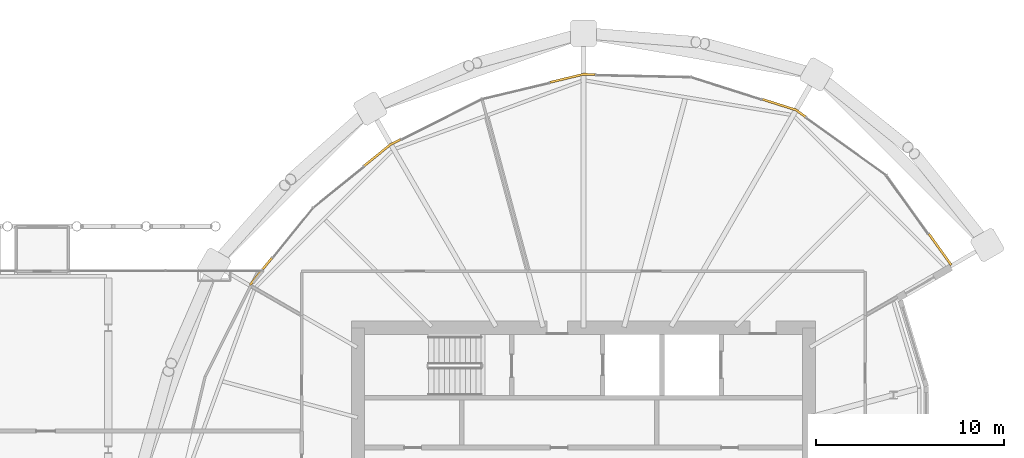
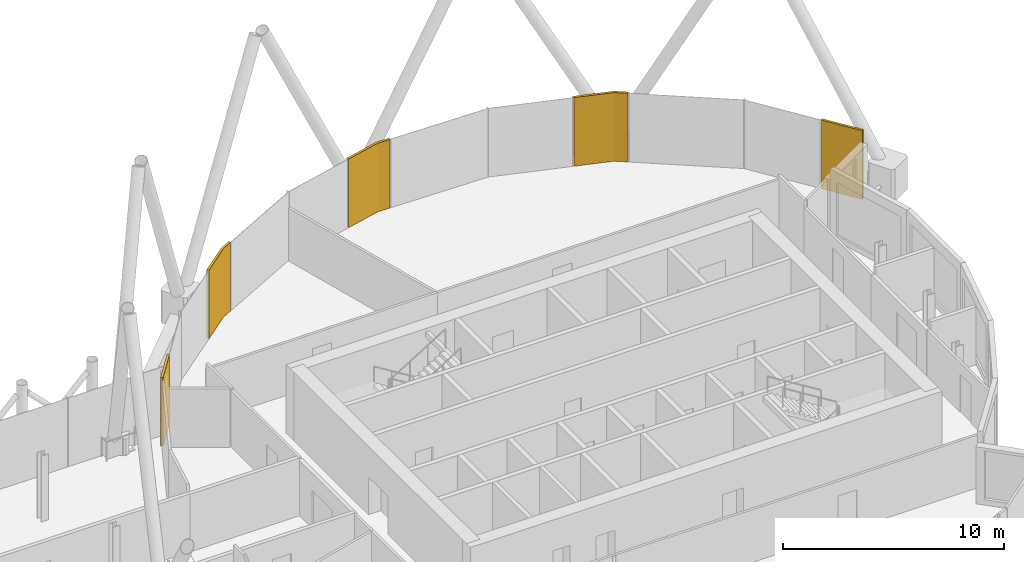
# One storey, part 35 of 35: 5 coverings.
"""IFC4 building model written with IfcOpenShell, lengths in metres."""

from ifc_helpers import new_model, si_unit, direction, frame, origin, place, context, subcontext, project, spatial, polyline, outline, extrude, material, layer, layer_set, type_object, element, save


model = new_model("IFC4")

# Units and contexts
model_context = context("Model", 3, precision=1e-05, world=origin(), true_north=direction((0.0, 1.0)))
body_context = subcontext(model_context, "Body", "Model", "MODEL_VIEW")
ifc_project = project(units=[si_unit("LENGTHUNIT", "METRE"), si_unit("AREAUNIT", "SQUARE_METRE"), si_unit("VOLUMEUNIT", "CUBIC_METRE"), si_unit("PLANEANGLEUNIT", "RADIAN"), si_unit("MASSUNIT", "GRAM", prefix="KILO")], contexts=[model_context])

# Site, building, storey
site_placement = place(None, origin())
site = spatial("IfcSite", under=ifc_project, at=site_placement, CompositionType="ELEMENT")
building_placement = place(site_placement, origin())
building = spatial("IfcBuilding", under=site, at=building_placement, Name="Rimbun Link Towers", CompositionType="ELEMENT")
storey_placement = place(building_placement, frame((0.0, 0.0, 146.800048828125)))
storey = spatial("IfcBuildingStorey", under=building, at=storey_placement, Name="L35", CompositionType="ELEMENT", Elevation=146.800048828125)

# Coverings
ifc_material = material(Name="Terracotta", Category="masonry")
ifc_layer = layer(ifc_material, 0.1201171875)
ifc_layer_set = layer_set([ifc_layer], Name="LINK PIER terracotta cladding 120")
covering_type = type_object("IfcCoveringType", Name="LINK PIER terracotta cladding 120", PredefinedType="CLADDING", material=ifc_layer_set)
covering_1_placement = place(storey_placement, origin())
element("IfcCovering", 1, at=covering_1_placement, inside=storey, type_object=covering_type, Name="LINK PIER cladding", PredefinedType="CLADDING", context=body_context, shape_type="SweptSolid", body=[
    extrude(outline(polyline([(41.2490234375, 20.10595703125), (43.031005859375, 19.539306640625), (43.53466796875, 19.177734375), (43.604736328125, 19.275390625), (43.08544921875, 19.64794921875), (41.285400390625, 20.220458984375), (41.2490234375, 20.10595703125)])), origin(), (0.0, 0.0, 1.0), 3.800048828125),
])
covering_2_placement = place(storey_placement, origin())
element("IfcCovering", 2, at=covering_2_placement, inside=storey, type_object=covering_type, Name="LINK PIER cladding", PredefinedType="CLADDING", context=body_context, shape_type="SweptSolid", body=[
    extrude(outline(polyline([(29.97998046875, 21.0078125), (31.75, 21.43115234375), (32.369873046875, 21.418212890625), (32.372314453125, 21.5380859375), (31.737060546875, 21.551513671875), (29.951904296875, 21.12451171875), (29.97998046875, 21.0078125)])), origin(), (0.0, 0.0, 1.0), 3.800048828125),
])
covering_3_placement = place(storey_placement, origin())
element("IfcCovering", 3, at=covering_3_placement, inside=storey, type_object=covering_type, Name="LINK PIER cladding", PredefinedType="CLADDING", context=body_context, shape_type="SweptSolid", body=[
    extrude(outline(polyline([(20.10791015625, 16.569580078125), (21.5224609375, 17.714599609375), (22.031982421875, 17.970458984375), (21.97802734375, 18.07763671875), (21.45703125, 17.81591796875), (20.032470703125, 16.662841796875), (20.10791015625, 16.569580078125)])), origin(), (0.0, 0.0, 1.0), 3.800048828125),
])
covering_4_placement = place(storey_placement, origin())
element("IfcCovering", 4, at=covering_4_placement, inside=storey, type_object=covering_type, Name="LINK PIER cladding", PredefinedType="CLADDING", context=body_context, shape_type="SweptSolid", body=[
    extrude(outline(polyline([(14.05419921875, 10.250732421875), (15.2119140625, 11.680908203125), (15.11865234375, 11.756591796875), (13.9609375, 10.326416015625), (14.05419921875, 10.250732421875)])), origin(), (0.0, 0.0, 1.0), 3.800048828125),
])
covering_5_placement = place(storey_placement, origin())
element("IfcCovering", 5, at=covering_5_placement, inside=storey, type_object=covering_type, Name="LINK PIER cladding", PredefinedType="CLADDING", context=body_context, shape_type="SweptSolid", body=[
    extrude(outline(polyline([(50.08251953125, 12.962890625), (51.271728515625, 11.305419921875), (51.369384765625, 11.375244140625), (50.179931640625, 13.03271484375), (50.08251953125, 12.962890625)])), origin(), (0.0, 0.0, 1.0), 3.800048828125),
])

save(model, "model.ifc")
